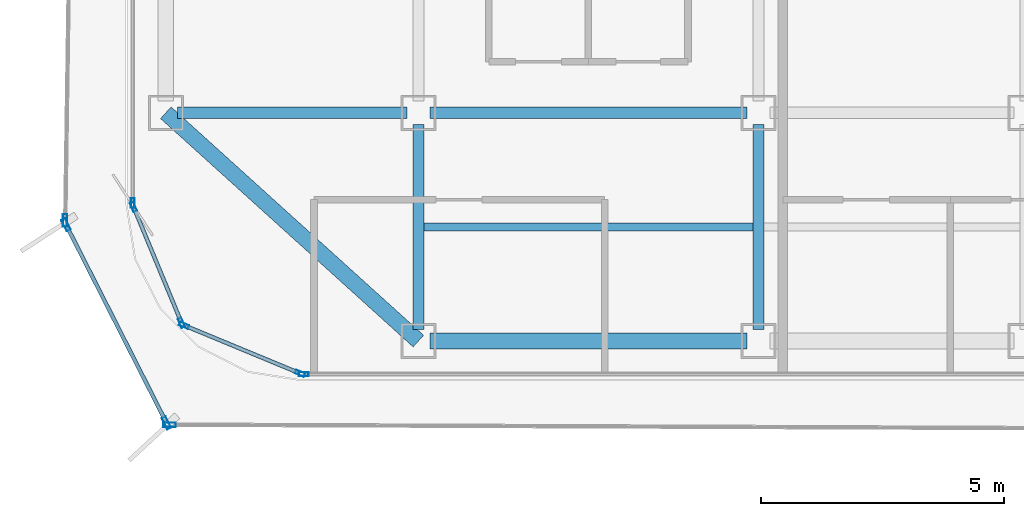
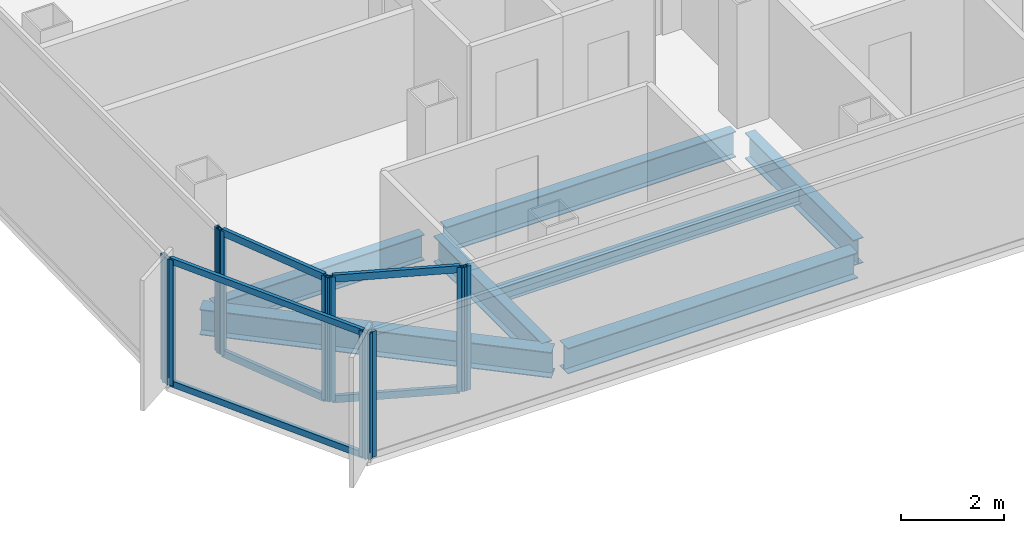
# One storey, part 2 of 16: 16 members, 7 beams, 7 elements without a shape of their own.
"""IFC4 building model written with IfcOpenShell, lengths in metres."""

from ifc_helpers import new_model, si_unit, direction, frame, origin, origin_2d, place, context, subcontext, project, spatial, hollow_rectangle, i_section, extrude, source, transform, mapped, material, layer, layer_set, material_profile, profile_set, type_object, element, aggregate, save


model = new_model("IFC4")

# Units and contexts
model_context = context("Model", 3, precision=1e-05, world=origin(), true_north=direction((0.0, 1.0)))
body_context = subcontext(model_context, "Body", "Model", "MODEL_VIEW")
ifc_project = project(units=[si_unit("LENGTHUNIT", "METRE"), si_unit("AREAUNIT", "SQUARE_METRE"), si_unit("VOLUMEUNIT", "CUBIC_METRE"), si_unit("PLANEANGLEUNIT", "RADIAN"), si_unit("MASSUNIT", "GRAM", prefix="KILO")], contexts=[model_context])

# Site, building, storey
site_placement = place(None, origin())
site = spatial("IfcSite", under=ifc_project, at=site_placement, CompositionType="ELEMENT")
building_placement = place(site_placement, origin())
building = spatial("IfcBuilding", under=site, at=building_placement, Name="Kolveth Station Tower", CompositionType="ELEMENT")
storey_placement = place(building_placement, frame((0.0, 0.0, 175.300048828125)))
storey = spatial("IfcBuildingStorey", under=building, at=storey_placement, Name="L49", CompositionType="ELEMENT", Elevation=175.300048828125)

# Beams
ifc_material_1 = material(Name="Steel S355", Category="steel")
ifc_material_profile_1 = material_profile(ifc_material_1, i_section(OverallWidth=0.323974609375, OverallDepth=0.611083984375, WebThickness=0.0126953125, FlangeThickness=0.01904296875, at=origin_2d()), Name="W610x155")
ifc_profile_set_1 = profile_set([ifc_material_profile_1], Name="Steel S355")
beam_type_1 = type_object("IfcBeamType", Name="Beam_SP2", PredefinedType="SPANDREL", material=ifc_profile_set_1)
shared_shape_1 = source(origin(), body_context, "Body", "SweptSolid", [
    extrude(i_section(OverallWidth=0.323974609375, OverallDepth=0.611083984375, WebThickness=0.0126953125, FlangeThickness=0.01904296875, at=origin_2d()), origin(), (0.0, 0.0, 1.0), 7.00927734375),
])
beam_1_placement = place(storey_placement, frame((0.800048828125, 5.5, -0.5556640625), z_axis=(0.741874009795, -0.670539300557, 0.0), x_axis=(0.670539300557, 0.741874009795, 0.0)))
element("IfcBeam", 1, at=beam_1_placement, inside=storey, type_object=beam_type_1, Name="L49 Corner Edge Girder BM-L49-CNR-SW", PredefinedType="SPANDREL", context=body_context, shape_type="MappedRepresentation", body=[
    mapped(shared_shape_1, transform((0.0, 0.0, 0.0), x_axis=(1.0, 0.0, 0.0), y_axis=(0.0, 1.0, 0.0), z_axis=(0.0, 0.0, 1.0), scale=1.0)),
])
shared_shape_2 = source(origin(), body_context, "Body", "SweptSolid", [
    extrude(i_section(OverallWidth=0.323974609375, OverallDepth=0.611083984375, WebThickness=0.0126953125, FlangeThickness=0.01904296875, at=origin_2d()), origin(), (0.0, 0.0, 1.0), 6.52001953125),
])
beam_2_placement = place(storey_placement, frame((6.239990234375, 0.800048828125, -0.5556640625), z_axis=(1.0, 0.0, 0.0), x_axis=(0.0, 1.0, 0.0)))
element("IfcBeam", 2, at=beam_2_placement, inside=storey, type_object=beam_type_1, Name="L49 Perimeter Spandrel BM-L49-PS-1", PredefinedType="SPANDREL", context=body_context, shape_type="MappedRepresentation", body=[
    mapped(shared_shape_2, transform((0.0, 0.0, 0.0), x_axis=(1.0, 0.0, 0.0), y_axis=(0.0, 1.0, 0.0), z_axis=(0.0, 0.0, 1.0), scale=1.0)),
])
ifc_material_profile_2 = material_profile(ifc_material_1, i_section(OverallWidth=0.22900390625, OverallDepth=0.612060546875, WebThickness=0.011962890625, FlangeThickness=0.01953125, at=origin_2d()), Name="W610x125")
ifc_profile_set_2 = profile_set([ifc_material_profile_2], Name="Steel S355")
beam_type_2 = type_object("IfcBeamType", Name="Beam_B5", PredefinedType="BEAM", material=ifc_profile_set_2)
shared_shape_3 = source(origin(), body_context, "Body", "SweptSolid", [
    extrude(i_section(OverallWidth=0.22900390625, OverallDepth=0.612060546875, WebThickness=0.011962890625, FlangeThickness=0.01953125, at=origin_2d()), origin(), (0.0, 0.0, 1.0), 4.719970703125),
])
beam_3_placement = place(storey_placement, frame((1.0400390625, 5.5, -0.55615234375), z_axis=(1.0, 0.0, 0.0), x_axis=(0.0, 1.0, 0.0)))
element("IfcBeam", 3, at=beam_3_placement, inside=storey, type_object=beam_type_2, Name="L49 Primary Girder BM-L49-GY55-1", PredefinedType="BEAM", context=body_context, shape_type="MappedRepresentation", body=[
    mapped(shared_shape_3, transform((0.0, 0.0, 0.0), x_axis=(1.0, 0.0, 0.0), y_axis=(0.0, 1.0, 0.0), z_axis=(0.0, 0.0, 1.0), scale=1.0)),
])
shared_shape_4 = source(origin(), body_context, "Body", "SweptSolid", [
    extrude(i_section(OverallWidth=0.22900390625, OverallDepth=0.612060546875, WebThickness=0.011962890625, FlangeThickness=0.01953125, at=origin_2d()), origin(), (0.0, 0.0, 1.0), 6.52001953125),
])
beam_4_placement = place(storey_placement, frame((6.239990234375, 5.5, -0.55615234375), z_axis=(1.0, 0.0, 0.0), x_axis=(0.0, 1.0, 0.0)))
element("IfcBeam", 4, at=beam_4_placement, inside=storey, type_object=beam_type_2, Name="L49 Primary Girder BM-L49-GY55-2", PredefinedType="BEAM", context=body_context, shape_type="MappedRepresentation", body=[
    mapped(shared_shape_4, transform((0.0, 0.0, 0.0), x_axis=(1.0, 0.0, 0.0), y_axis=(0.0, 1.0, 0.0), z_axis=(0.0, 0.0, 1.0), scale=1.0)),
])
shared_shape_5 = source(origin(), body_context, "Body", "SweptSolid", [
    extrude(i_section(OverallWidth=0.22900390625, OverallDepth=0.612060546875, WebThickness=0.011962890625, FlangeThickness=0.01953125, at=origin_2d()), origin(), (0.0, 0.0, 1.0), 4.219970703125),
])
for number, where, z_axis, x_axis, name in (
    (5, (6.0, 1.0400390625, -0.55615234375), (0.0, 1.0, 0.0), (-1.0, 0.0, 0.0), "L49 Primary Girder BM-L49-GX60-1"),
    (6, (13.0, 1.0400390625, -0.55615234375), (0.0, 1.0, 0.0), (-1.0, 0.0, 0.0), "L49 Primary Girder BM-L49-GX130-1"),
):
    element("IfcBeam", number, at=place(storey_placement, frame(where, z_axis=z_axis, x_axis=x_axis)), inside=storey, type_object=beam_type_2, Name=name, PredefinedType="BEAM", context=body_context, shape_type="MappedRepresentation", body=[
        mapped(shared_shape_5, transform((0.0, 0.0, 0.0), x_axis=(1.0, 0.0, 0.0), y_axis=(0.0, 1.0, 0.0), z_axis=(0.0, 0.0, 1.0), scale=1.0)),
    ])
ifc_material_profile_3 = material_profile(ifc_material_1, i_section(OverallWidth=0.1708984375, OverallDepth=0.35205078125, WebThickness=0.0068359375, FlangeThickness=0.009765625, at=origin_2d()), Name="W360x44")
ifc_profile_set_3 = profile_set([ifc_material_profile_3], Name="Steel S355")
beam_type_3 = type_object("IfcBeamType", Name="Beam_J2", PredefinedType="JOIST", material=ifc_profile_set_3)
shared_shape_6 = source(origin(), body_context, "Body", "SweptSolid", [
    extrude(i_section(OverallWidth=0.1708984375, OverallDepth=0.35205078125, WebThickness=0.0068359375, FlangeThickness=0.009765625, at=origin_2d()), origin(), (0.0, 0.0, 1.0), 6.77490234375),
])
beam_5_placement = place(storey_placement, frame((6.112548828125, 3.14990234375, -0.426025390625), z_axis=(1.0, 0.0, 0.0), x_axis=(0.0, 1.0, 0.0)))
element("IfcBeam", 7, at=beam_5_placement, inside=storey, type_object=beam_type_3, Name="L49 Secondary Joist JST-L49-2-1", PredefinedType="JOIST", context=body_context, shape_type="MappedRepresentation", body=[
    mapped(shared_shape_6, transform((0.0, 0.0, 0.0), x_axis=(1.0, 0.0, 0.0), y_axis=(0.0, 1.0, 0.0), z_axis=(0.0, 0.0, 1.0), scale=1.0)),
])

# Curtain wall, member
ifc_material_2 = material(Name="Aluminium 6063-T6 and low-E dark glass", Category="aluminium")
ifc_layer_1 = layer(ifc_material_2, 0.18994140625)
ifc_layer_set_1 = layer_set([ifc_layer_1], Name="Aluminium 6063-T6 and low-E dark glass")
curtain_wall_type_1 = type_object("IfcCurtainWallType", Name="CurtainWall_CW-Z2", PredefinedType="NOTDEFINED", material=ifc_layer_set_1)
curtain_wall_1_placement = place(storey_placement, origin())
curtain_wall_1 = element("IfcCurtainWall", 8, at=curtain_wall_1_placement, inside=storey, type_object=curtain_wall_type_1, Name="L49 Inner Thermal Curtain Wall 9", PredefinedType="NOTDEFINED")
ifc_material_3 = material(Name="Black anodized aluminium 6063-T6", Category="aluminium")
ifc_material_profile_4 = material_profile(ifc_material_3, hollow_rectangle(XDim=0.080078125, YDim=0.199951171875, WallThickness=0.0048828125, at=origin_2d()), Name="ALU-80x200x5")
ifc_profile_set_4 = profile_set([ifc_material_profile_4], Name="Black anodized aluminium 6063-T6")
member_type_1 = type_object("IfcMemberType", Name="Mullion_ML2", PredefinedType="MULLION", material=ifc_profile_set_4)
shared_shape_7 = source(origin(), body_context, "Body", "SweptSolid", [
    extrude(hollow_rectangle(XDim=0.080078125, YDim=0.199951171875, WallThickness=0.0048828125, at=origin_2d()), origin(), (0.0, 0.0, 1.0), 2.949951171875),
])
member_1_placement = place(storey_placement, frame((0.1201171875, 3.639892578125, 0.0), z_axis=(0.0, 0.0, 1.0), x_axis=(1.0, 0.0, 0.0)))
member_1 = element("IfcMember", 9, at=member_1_placement, type_object=member_type_1, Name="CW-Z2 mullion 2", PredefinedType="MULLION", context=body_context, shape_type="MappedRepresentation", body=[
    mapped(shared_shape_7, transform((0.0, 0.0, 0.0), x_axis=(1.0, 0.0, 0.0), y_axis=(0.0, 1.0, 0.0), z_axis=(0.0, 0.0, 1.0), scale=1.0)),
])
aggregate(curtain_wall_1, [member_1])

# Curtain wall, members
curtain_wall_2_placement = place(storey_placement, origin())
curtain_wall_2 = element("IfcCurtainWall", 10, at=curtain_wall_2_placement, inside=storey, type_object=curtain_wall_type_1, Name="L49 Inner Thermal Curtain Wall 10", PredefinedType="NOTDEFINED")
member_2_placement = place(storey_placement, frame((0.13525390625, 3.56298828125, 0.0), z_axis=(0.0, 0.0, 1.0), x_axis=(0.923873600544, 0.382697753087, 0.0)))
member_2 = element("IfcMember", 11, at=member_2_placement, type_object=member_type_1, Name="CW-Z2 mullion 1", PredefinedType="MULLION", context=body_context, shape_type="MappedRepresentation", body=[
    mapped(shared_shape_7, transform((0.0, 0.0, 0.0), x_axis=(1.0, 0.0, 0.0), y_axis=(0.0, 1.0, 0.0), z_axis=(0.0, 0.0, 1.0), scale=1.0)),
])
member_3_placement = place(storey_placement, frame((1.1240234375, 1.17626953125, 0.0), z_axis=(0.0, 0.0, 1.0), x_axis=(0.923873600544, 0.382697753087, 0.0)))
member_3 = element("IfcMember", 12, at=member_3_placement, type_object=member_type_1, Name="CW-Z2 mullion 2", PredefinedType="MULLION", context=body_context, shape_type="MappedRepresentation", body=[
    mapped(shared_shape_7, transform((0.0, 0.0, 0.0), x_axis=(1.0, 0.0, 0.0), y_axis=(0.0, 1.0, 0.0), z_axis=(0.0, 0.0, 1.0), scale=1.0)),
])

curtain_wall_3_placement = place(storey_placement, origin())
curtain_wall_3 = element("IfcCurtainWall", 13, at=curtain_wall_3_placement, inside=storey, type_object=curtain_wall_type_1, Name="L49 Inner Thermal Curtain Wall 11", PredefinedType="NOTDEFINED")
member_4_placement = place(storey_placement, frame((1.17626953125, 1.1240234375, 0.0), z_axis=(0.0, 0.0, 1.0), x_axis=(0.382697753087, 0.923873600544, 0.0)))
member_4 = element("IfcMember", 14, at=member_4_placement, type_object=member_type_1, Name="CW-Z2 mullion 1", PredefinedType="MULLION", context=body_context, shape_type="MappedRepresentation", body=[
    mapped(shared_shape_7, transform((0.0, 0.0, 0.0), x_axis=(1.0, 0.0, 0.0), y_axis=(0.0, 1.0, 0.0), z_axis=(0.0, 0.0, 1.0), scale=1.0)),
])
member_5_placement = place(storey_placement, frame((3.56298828125, 0.13525390625, 0.0), z_axis=(0.0, 0.0, 1.0), x_axis=(0.382697753087, 0.923873600544, 0.0)))
member_5 = element("IfcMember", 15, at=member_5_placement, type_object=member_type_1, Name="CW-Z2 mullion 2", PredefinedType="MULLION", context=body_context, shape_type="MappedRepresentation", body=[
    mapped(shared_shape_7, transform((0.0, 0.0, 0.0), x_axis=(1.0, 0.0, 0.0), y_axis=(0.0, 1.0, 0.0), z_axis=(0.0, 0.0, 1.0), scale=1.0)),
])

# Curtain wall, member
curtain_wall_4_placement = place(storey_placement, origin())
curtain_wall_4 = element("IfcCurtainWall", 16, at=curtain_wall_4_placement, inside=storey, type_object=curtain_wall_type_1, Name="L49 Inner Thermal Curtain Wall 12", PredefinedType="NOTDEFINED")
member_6_placement = place(storey_placement, frame((3.639892578125, 0.1201171875, 0.0), z_axis=(0.0, 0.0, 1.0), x_axis=(0.0, 1.0, 0.0)))
member_6 = element("IfcMember", 17, at=member_6_placement, type_object=member_type_1, Name="CW-Z2 mullion 1", PredefinedType="MULLION", context=body_context, shape_type="MappedRepresentation", body=[
    mapped(shared_shape_7, transform((0.0, 0.0, 0.0), x_axis=(1.0, 0.0, 0.0), y_axis=(0.0, 1.0, 0.0), z_axis=(0.0, 0.0, 1.0), scale=1.0)),
])
aggregate(curtain_wall_4, [member_6])

ifc_material_4 = material(Name="Black anodized aluminium 6063-T6 and dark solar glass", Category="aluminium")
ifc_layer_2 = layer(ifc_material_4, 0.159912109375)
ifc_layer_set_2 = layer_set([ifc_layer_2], Name="Black anodized aluminium 6063-T6 and dark solar glass")
curtain_wall_type_2 = type_object("IfcCurtainWallType", Name="OUTER SKIN CW-OS", PredefinedType="NOTDEFINED", material=ifc_layer_set_2)
curtain_wall_5_placement = place(storey_placement, origin())
curtain_wall_5 = element("IfcCurtainWall", 18, at=curtain_wall_5_placement, inside=storey, type_object=curtain_wall_type_2, Name="L49 Outer Ventilated Skin Curtain Wall 6", PredefinedType="NOTDEFINED")
ifc_material_profile_5 = material_profile(ifc_material_3, hollow_rectangle(XDim=0.090087890625, YDim=0.260009765625, WallThickness=0.0048828125, at=origin_2d()), Name="ALU-90x260x5")
ifc_profile_set_5 = profile_set([ifc_material_profile_5], Name="Black anodized aluminium 6063-T6")
member_type_2 = type_object("IfcMemberType", Name="FIN MULLION ML-OS", PredefinedType="MULLION", material=ifc_profile_set_5)
shared_shape_8 = source(origin(), body_context, "Body", "SweptSolid", [
    extrude(hollow_rectangle(XDim=0.090087890625, YDim=0.260009765625, WallThickness=0.0048828125, at=origin_2d()), origin(), (0.0, 0.0, 1.0), 2.989990234375),
])
member_7_placement = place(storey_placement, frame((-1.275146484375, 3.281494140625, 0.0), z_axis=(0.0, 0.0, 1.0), x_axis=(0.999892027196, -0.014694691188, 0.0)))
member_7 = element("IfcMember", 19, at=member_7_placement, type_object=member_type_2, Name="CW-OS mullion 2", PredefinedType="MULLION", context=body_context, shape_type="MappedRepresentation", body=[
    mapped(shared_shape_8, transform((0.0, 0.0, 0.0), x_axis=(1.0, 0.0, 0.0), y_axis=(0.0, 1.0, 0.0), z_axis=(0.0, 0.0, 1.0), scale=1.0)),
])
aggregate(curtain_wall_5, [member_7])

# Curtain wall, members
curtain_wall_6_placement = place(storey_placement, origin())
curtain_wall_6 = element("IfcCurtainWall", 20, at=curtain_wall_6_placement, inside=storey, type_object=curtain_wall_type_2, Name="L49 Outer Ventilated Skin Curtain Wall 7", PredefinedType="NOTDEFINED")
member_8_placement = place(storey_placement, frame((-1.25537109375, 3.1962890625, 0.0), z_axis=(0.0, 0.0, 1.0), x_axis=(0.89187486322, 0.452282244131, 0.0)))
member_8 = element("IfcMember", 21, at=member_8_placement, type_object=member_type_2, Name="CW-OS mullion 1", PredefinedType="MULLION", context=body_context, shape_type="MappedRepresentation", body=[
    mapped(shared_shape_8, transform((0.0, 0.0, 0.0), x_axis=(1.0, 0.0, 0.0), y_axis=(0.0, 1.0, 0.0), z_axis=(0.0, 0.0, 1.0), scale=1.0)),
])
member_9_placement = place(storey_placement, frame((0.81396484375, -0.88427734375, 0.0), z_axis=(0.0, 0.0, 1.0), x_axis=(0.89187486322, 0.452282244131, 0.0)))
member_9 = element("IfcMember", 22, at=member_9_placement, type_object=member_type_2, Name="CW-OS mullion 2", PredefinedType="MULLION", context=body_context, shape_type="MappedRepresentation", body=[
    mapped(shared_shape_8, transform((0.0, 0.0, 0.0), x_axis=(1.0, 0.0, 0.0), y_axis=(0.0, 1.0, 0.0), z_axis=(0.0, 0.0, 1.0), scale=1.0)),
])

# Curtain wall, member
curtain_wall_7_placement = place(storey_placement, origin())
curtain_wall_7 = element("IfcCurtainWall", 23, at=curtain_wall_7_placement, inside=storey, type_object=curtain_wall_type_2, Name="L49 Outer Ventilated Skin Curtain Wall 8", PredefinedType="NOTDEFINED")
member_10_placement = place(storey_placement, frame((0.879150390625, -0.924560546875, 0.0), z_axis=(0.0, 0.0, 1.0), x_axis=(0.003986890357, 0.999992052321, 0.0)))
member_10 = element("IfcMember", 24, at=member_10_placement, type_object=member_type_2, Name="CW-OS mullion 1", PredefinedType="MULLION", context=body_context, shape_type="MappedRepresentation", body=[
    mapped(shared_shape_8, transform((0.0, 0.0, 0.0), x_axis=(1.0, 0.0, 0.0), y_axis=(0.0, 1.0, 0.0), z_axis=(0.0, 0.0, 1.0), scale=1.0)),
])
aggregate(curtain_wall_7, [member_10])

# Member
ifc_material_profile_6 = material_profile(ifc_material_3, hollow_rectangle(XDim=0.080078125, YDim=0.169921875, WallThickness=0.0048828125, at=origin_2d()), Name="ALU-80x170x5")
ifc_profile_set_6 = profile_set([ifc_material_profile_6], Name="Black anodized aluminium 6063-T6")
member_type_3 = type_object("IfcMemberType", Name="Transom_TR2", PredefinedType="USERDEFINED", material=ifc_profile_set_6)
shared_shape_9 = source(origin(), body_context, "Body", "SweptSolid", [
    extrude(hollow_rectangle(XDim=0.080078125, YDim=0.169921875, WallThickness=0.0048828125, at=origin_2d()), origin(), (0.0, 0.0, 1.0), 2.50341796875),
])
member_11_placement = place(storey_placement, frame((0.150634765625, 3.526123046875, 0.0400390625), z_axis=(0.382661849723, -0.923888472039, 0.0), x_axis=(0.923888472039, 0.382661849723, 0.0)))
member_11 = element("IfcMember", 25, at=member_11_placement, type_object=member_type_3, Name="CW-Z2 transom 1.1", ObjectType="TRANSOM", PredefinedType="USERDEFINED", context=body_context, shape_type="MappedRepresentation", body=[
    mapped(shared_shape_9, transform((0.0, 0.0, 0.0), x_axis=(1.0, 0.0, 0.0), y_axis=(0.0, 1.0, 0.0), z_axis=(0.0, 0.0, 1.0), scale=1.0)),
])

member_12_placement = place(storey_placement, frame((0.150634765625, 3.526123046875, 2.909912109375), z_axis=(0.382661849723, -0.923888472039, 0.0), x_axis=(0.923888472039, 0.382661849723, 0.0)))
member_12 = element("IfcMember", 26, at=member_12_placement, type_object=member_type_3, Name="CW-Z2 transom 1.2", ObjectType="TRANSOM", PredefinedType="USERDEFINED", context=body_context, shape_type="MappedRepresentation", body=[
    mapped(shared_shape_9, transform((0.0, 0.0, 0.0), x_axis=(1.0, 0.0, 0.0), y_axis=(0.0, 1.0, 0.0), z_axis=(0.0, 0.0, 1.0), scale=1.0)),
])

aggregate(curtain_wall_2, [member_2, member_3, member_11, member_12])

member_13_placement = place(storey_placement, frame((1.213134765625, 1.108642578125, 0.0400390625), z_axis=(0.923888472039, -0.382661849723, 0.0), x_axis=(0.382661849723, 0.923888472039, 0.0)))
member_13 = element("IfcMember", 27, at=member_13_placement, type_object=member_type_3, Name="CW-Z2 transom 1.1", ObjectType="TRANSOM", PredefinedType="USERDEFINED", context=body_context, shape_type="MappedRepresentation", body=[
    mapped(shared_shape_9, transform((0.0, 0.0, 0.0), x_axis=(1.0, 0.0, 0.0), y_axis=(0.0, 1.0, 0.0), z_axis=(0.0, 0.0, 1.0), scale=1.0)),
])

member_14_placement = place(storey_placement, frame((1.213134765625, 1.108642578125, 2.909912109375), z_axis=(0.923888472039, -0.382661849723, 0.0), x_axis=(0.382661849723, 0.923888472039, 0.0)))
member_14 = element("IfcMember", 28, at=member_14_placement, type_object=member_type_3, Name="CW-Z2 transom 1.2", ObjectType="TRANSOM", PredefinedType="USERDEFINED", context=body_context, shape_type="MappedRepresentation", body=[
    mapped(shared_shape_9, transform((0.0, 0.0, 0.0), x_axis=(1.0, 0.0, 0.0), y_axis=(0.0, 1.0, 0.0), z_axis=(0.0, 0.0, 1.0), scale=1.0)),
])

aggregate(curtain_wall_3, [member_4, member_5, member_13, member_14])

ifc_material_profile_7 = material_profile(ifc_material_3, hollow_rectangle(XDim=0.080078125, YDim=0.14990234375, WallThickness=0.0048828125, at=origin_2d()), Name="ALU-80x150x5")
ifc_profile_set_7 = profile_set([ifc_material_profile_7], Name="Black anodized aluminium 6063-T6")
member_type_4 = type_object("IfcMemberType", Name="Transom_TR-OS", PredefinedType="USERDEFINED", material=ifc_profile_set_7)
shared_shape_10 = source(origin(), body_context, "Body", "SweptSolid", [
    extrude(hollow_rectangle(XDim=0.080078125, YDim=0.14990234375, WallThickness=0.0048828125, at=origin_2d()), origin(), (0.0, 0.0, 1.0), 4.485107421875),
])
member_15_placement = place(storey_placement, frame((-1.235107421875, 3.15625, 0.0400390625), z_axis=(0.452279509401, -0.891876250035, 0.0), x_axis=(0.891876250035, 0.452279509401, 0.0)))
member_15 = element("IfcMember", 29, at=member_15_placement, type_object=member_type_4, Name="CW-OS transom 1.1", ObjectType="TRANSOM", PredefinedType="USERDEFINED", context=body_context, shape_type="MappedRepresentation", body=[
    mapped(shared_shape_10, transform((0.0, 0.0, 0.0), x_axis=(1.0, 0.0, 0.0), y_axis=(0.0, 1.0, 0.0), z_axis=(0.0, 0.0, 1.0), scale=1.0)),
])

member_16_placement = place(storey_placement, frame((-1.235107421875, 3.15625, 2.949951171875), z_axis=(0.452279509401, -0.891876250035, 0.0), x_axis=(0.891876250035, 0.452279509401, 0.0)))
member_16 = element("IfcMember", 30, at=member_16_placement, type_object=member_type_4, Name="CW-OS transom 1.2", ObjectType="TRANSOM", PredefinedType="USERDEFINED", context=body_context, shape_type="MappedRepresentation", body=[
    mapped(shared_shape_10, transform((0.0, 0.0, 0.0), x_axis=(1.0, 0.0, 0.0), y_axis=(0.0, 1.0, 0.0), z_axis=(0.0, 0.0, 1.0), scale=1.0)),
])

aggregate(curtain_wall_6, [member_8, member_9, member_15, member_16])

save(model, "model.ifc")
